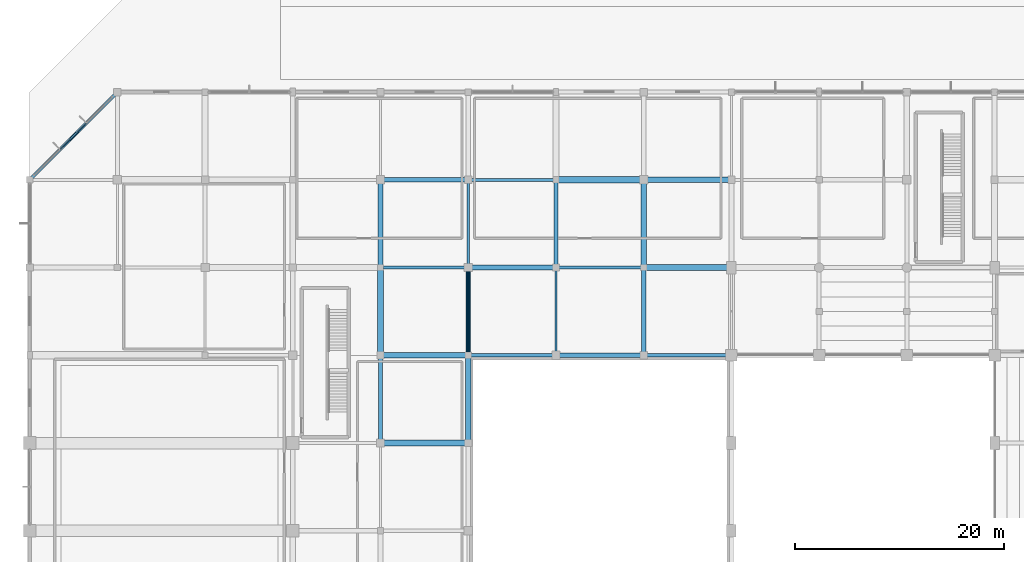
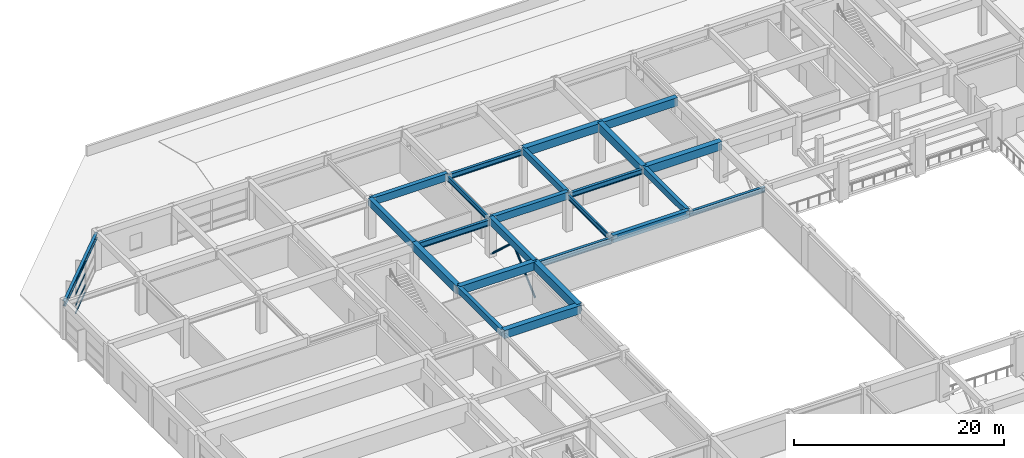
# One storey, part 21 of 60: 24 beams, 6 members, 1 element without a shape of its own.
"""IFC4 building model written with IfcOpenShell, lengths in metres."""

from ifc_helpers import new_model, si_unit, direction, frame, origin, origin_2d, place, context, subcontext, project, spatial, rectangle, hollow_circle, i_section, extrude, material, material_profile, profile_set, type_object, element, aggregate, save


model = new_model("IFC4")

# Units and contexts
model_context = context("Model", 3, precision=1e-05, world=origin(), true_north=direction((0.0, 1.0)))
body_context = subcontext(model_context, "Body", "Model", "MODEL_VIEW")
ifc_project = project(units=[si_unit("LENGTHUNIT", "METRE"), si_unit("AREAUNIT", "SQUARE_METRE"), si_unit("VOLUMEUNIT", "CUBIC_METRE"), si_unit("PLANEANGLEUNIT", "RADIAN"), si_unit("MASSUNIT", "GRAM", prefix="KILO")], contexts=[model_context])

# Site, building, storey
site_placement = place(None, origin())
site = spatial("IfcSite", under=ifc_project, at=site_placement, CompositionType="ELEMENT")
building_placement = place(site_placement, origin())
building = spatial("IfcBuilding", under=site, at=building_placement, Name="Xuanlan Plaza Opera House", CompositionType="ELEMENT")
storey_placement = place(building_placement, frame((0.0, 0.0, 9.89990234375)))
storey = spatial("IfcBuildingStorey", under=building, at=storey_placement, Name="L02", CompositionType="ELEMENT", Elevation=9.89990234375)

# Curtain wall, members
ifc_material_1 = material(Name="Anodised Aluminium 6063-T6 and Low-E Glass", Category="aluminium")
curtain_wall_type = type_object("IfcCurtainWallType", Name="ENV-CW-CW-03", PredefinedType="USERDEFINED", material=ifc_material_1)
curtain_wall_placement = place(storey_placement, origin())
curtain_wall = element("IfcCurtainWall", 1, at=curtain_wall_placement, inside=storey, type_object=curtain_wall_type, Name="Unitised Curtain Wall L02-047", ObjectType="UNITISED CURTAIN WALL", PredefinedType="USERDEFINED")
ifc_material_2 = material(Name="Anodised Aluminium 6063-T6", Category="aluminium")
ifc_material_profile_1 = material_profile(ifc_material_2, rectangle(XDim=0.074951171875, YDim=0.14990234375, at=origin_2d()), Name="ALU-T 75x150")
ifc_profile_set_1 = profile_set([ifc_material_profile_1], Name="Anodised Aluminium 6063-T6")
member_type_1 = type_object("IfcMemberType", Name="ENV-CWT-03", PredefinedType="USERDEFINED", material=ifc_profile_set_1)
member_1_placement = place(storey_placement, frame((5.41064453125, 97.810791015625, 0.03759765625), z_axis=(-0.707106781187, -0.707106781187, 0.0), x_axis=(0.707106781187, -0.707106781187, 0.0)))
member_1 = element("IfcMember", 2, at=member_1_placement, type_object=member_type_1, Name="CW-03 transom 2.1", ObjectType="TRANSOM", PredefinedType="USERDEFINED", context=body_context, shape_type="SweptSolid", body=[
    extrude(rectangle(XDim=0.074951171875, YDim=0.14990234375, at=origin_2d()), origin(), (0.0, 0.0, 1.0), 3.4951171875),
])
member_2_placement = place(storey_placement, frame((5.41064453125, 97.810791015625, 0.9501953125), z_axis=(-0.707106781187, -0.707106781187, 0.0), x_axis=(0.707106781187, -0.707106781187, 0.0)))
member_2 = element("IfcMember", 3, at=member_2_placement, type_object=member_type_1, Name="CW-03 transom 2.2", ObjectType="TRANSOM", PredefinedType="USERDEFINED", context=body_context, shape_type="SweptSolid", body=[
    extrude(rectangle(XDim=0.074951171875, YDim=0.14990234375, at=origin_2d()), origin(), (0.0, 0.0, 1.0), 3.4951171875),
])
member_3_placement = place(storey_placement, frame((5.41064453125, 97.810791015625, 2.25), z_axis=(-0.707106781187, -0.707106781187, 0.0), x_axis=(0.707106781187, -0.707106781187, 0.0)))
member_3 = element("IfcMember", 4, at=member_3_placement, type_object=member_type_1, Name="CW-03 transom 2.3", ObjectType="TRANSOM", PredefinedType="USERDEFINED", context=body_context, shape_type="SweptSolid", body=[
    extrude(rectangle(XDim=0.074951171875, YDim=0.14990234375, at=origin_2d()), origin(), (0.0, 0.0, 1.0), 3.4951171875),
])
member_4_placement = place(storey_placement, frame((5.41064453125, 97.810791015625, 3.642578125), z_axis=(-0.707106781187, -0.707106781187, 0.0), x_axis=(0.707106781187, -0.707106781187, 0.0)))
member_4 = element("IfcMember", 5, at=member_4_placement, type_object=member_type_1, Name="CW-03 transom 2.4", ObjectType="TRANSOM", PredefinedType="USERDEFINED", context=body_context, shape_type="SweptSolid", body=[
    extrude(rectangle(XDim=0.074951171875, YDim=0.14990234375, at=origin_2d()), origin(), (0.0, 0.0, 1.0), 3.4951171875),
])
aggregate(curtain_wall, [member_1, member_2, member_3, member_4])

# Beams
ifc_material_3 = material(Name="Concrete C50", Category="concrete")
ifc_material_profile_2 = material_profile(ifc_material_3, rectangle(XDim=0.60009765625, YDim=0.949951171875, at=origin_2d()), Name="RC-BM 600x950")
ifc_profile_set_2 = profile_set([ifc_material_profile_2], Name="Concrete C50")
beam_type_1 = type_object("IfcBeamType", Name="STR-BM-B-01", PredefinedType="BEAM", material=ifc_profile_set_2)
for number, where, z_axis, x_axis, name in (
    (6, (33.60009765625, 67.199951171875, 4.025146484375), (1.0, 0.0, 0.0), (0.0, 1.0, 0.0), "Grid Beam X L02 5-6/I"),
    (7, (58.800048828125, 84.0, 4.025146484375), (1.0, 0.0, 0.0), (0.0, 1.0, 0.0), "Grid Beam X L02 8-9/K"),
):
    element("IfcBeam", number, at=place(storey_placement, frame(where, z_axis=z_axis, x_axis=x_axis)), inside=storey, type_object=beam_type_1, Name=name, PredefinedType="BEAM", context=body_context, shape_type="SweptSolid", body=[
        extrude(rectangle(XDim=0.60009765625, YDim=0.949951171875, at=origin_2d()), origin(), (0.0, 0.0, 1.0), 8.39990234375),
    ])
beam_1_placement = place(storey_placement, frame((50.39990234375, 92.39990234375, 4.025146484375), z_axis=(1.0, 0.0, 0.0), x_axis=(0.0, 1.0, 0.0)))
element("IfcBeam", 8, at=beam_1_placement, inside=storey, type_object=beam_type_1, Name="Grid Beam X L02 7-8/L", PredefinedType="BEAM", context=body_context, shape_type="SweptSolid", body=[
    extrude(rectangle(XDim=0.60009765625, YDim=0.949951171875, at=origin_2d()), origin(), (0.0, 0.0, 1.0), 8.400146484375),
])
ifc_material_profile_3 = material_profile(ifc_material_3, rectangle(XDim=0.550048828125, YDim=0.949951171875, at=origin_2d()), Name="RC-BM 550x950")
ifc_profile_set_3 = profile_set([ifc_material_profile_3], Name="Concrete C50")
beam_type_2 = type_object("IfcBeamType", Name="STR-BM-B-02", PredefinedType="BEAM", material=ifc_profile_set_3)
for number, where, z_axis, x_axis, name in (
    (9, (33.60009765625, 75.60009765625, 4.025146484375), (1.0, 0.0, 0.0), (0.0, 1.0, 0.0), "Grid Beam X L02 5-6/J"),
    (10, (58.800048828125, 92.39990234375, 4.025146484375), (1.0, 0.0, 0.0), (0.0, 1.0, 0.0), "Grid Beam X L02 8-9/L"),
    (11, (33.60009765625, 75.60009765625, 4.025146484375), (0.0, 1.0, 0.0), (-1.0, 0.0, 0.0), "Grid Beam Y L02 5/J-K"),
):
    element("IfcBeam", number, at=place(storey_placement, frame(where, z_axis=z_axis, x_axis=x_axis)), inside=storey, type_object=beam_type_2, Name=name, PredefinedType="BEAM", context=body_context, shape_type="SweptSolid", body=[
        extrude(rectangle(XDim=0.550048828125, YDim=0.949951171875, at=origin_2d()), origin(), (0.0, 0.0, 1.0), 8.39990234375),
    ])
beam_2_placement = place(storey_placement, frame((42.0, 67.199951171875, 4.025146484375), z_axis=(0.0, 1.0, 0.0), x_axis=(-1.0, 0.0, 0.0)))
element("IfcBeam", 12, at=beam_2_placement, inside=storey, type_object=beam_type_2, Name="Grid Beam Y L02 6/I-J", PredefinedType="BEAM", context=body_context, shape_type="SweptSolid", body=[
    extrude(rectangle(XDim=0.550048828125, YDim=0.949951171875, at=origin_2d()), origin(), (0.0, 0.0, 1.0), 8.400146484375),
])
beam_3_placement = place(storey_placement, frame((58.800048828125, 84.0, 4.025146484375), z_axis=(0.0, 1.0, 0.0), x_axis=(-1.0, 0.0, 0.0)))
element("IfcBeam", 13, at=beam_3_placement, inside=storey, type_object=beam_type_2, Name="Grid Beam Y L02 8/K-L", PredefinedType="BEAM", context=body_context, shape_type="SweptSolid", body=[
    extrude(rectangle(XDim=0.550048828125, YDim=0.949951171875, at=origin_2d()), origin(), (0.0, 0.0, 1.0), 8.39990234375),
])
ifc_material_4 = material(Name="Concrete C40", Category="concrete")
ifc_material_profile_4 = material_profile(ifc_material_4, rectangle(XDim=0.449951171875, YDim=0.85009765625, at=origin_2d()), Name="RC-BM 450x850")
ifc_profile_set_4 = profile_set([ifc_material_profile_4], Name="Concrete C40")
beam_type_3 = type_object("IfcBeamType", Name="STR-BM-B-04", PredefinedType="BEAM", material=ifc_profile_set_4)
beam_4_placement = place(storey_placement, frame((50.39990234375, 75.60009765625, 4.0751953125), z_axis=(1.0, 0.0, 0.0), x_axis=(0.0, 1.0, 0.0)))
element("IfcBeam", 14, at=beam_4_placement, inside=storey, type_object=beam_type_3, Name="Grid Beam X L02 7-8/J", PredefinedType="BEAM", context=body_context, shape_type="SweptSolid", body=[
    extrude(rectangle(XDim=0.449951171875, YDim=0.85009765625, at=origin_2d()), origin(), (0.0, 0.0, 1.0), 8.400146484375),
])
for number, where, z_axis, x_axis, name in (
    (15, (42.0, 84.0, 4.0751953125), (1.0, 0.0, 0.0), (0.0, 1.0, 0.0), "Grid Beam X L02 6-7/K"),
    (16, (33.60009765625, 92.39990234375, 4.0751953125), (1.0, 0.0, 0.0), (0.0, 1.0, 0.0), "Grid Beam X L02 5-6/L"),
    (17, (33.60009765625, 84.0, 4.0751953125), (0.0, 1.0, 0.0), (-1.0, 0.0, 0.0), "Grid Beam Y L02 5/K-L"),
    (18, (42.0, 75.60009765625, 4.0751953125), (0.0, 1.0, 0.0), (-1.0, 0.0, 0.0), "Grid Beam Y L02 6/J-K"),
):
    element("IfcBeam", number, at=place(storey_placement, frame(where, z_axis=z_axis, x_axis=x_axis)), inside=storey, type_object=beam_type_3, Name=name, PredefinedType="BEAM", context=body_context, shape_type="SweptSolid", body=[
        extrude(rectangle(XDim=0.449951171875, YDim=0.85009765625, at=origin_2d()), origin(), (0.0, 0.0, 1.0), 8.39990234375),
    ])
ifc_material_profile_5 = material_profile(ifc_material_4, rectangle(XDim=0.39990234375, YDim=0.75, at=origin_2d()), Name="RC-BM 400x750")
ifc_profile_set_5 = profile_set([ifc_material_profile_5], Name="Concrete C40")
beam_type_4 = type_object("IfcBeamType", Name="STR-BM-B-06", PredefinedType="BEAM", material=ifc_profile_set_5)
beam_5_placement = place(storey_placement, frame((33.60009765625, 67.199951171875, 4.125), z_axis=(0.0, 1.0, 0.0), x_axis=(-1.0, 0.0, 0.0)))
element("IfcBeam", 19, at=beam_5_placement, inside=storey, type_object=beam_type_4, Name="Grid Beam Y L02 5/I-J", PredefinedType="BEAM", context=body_context, shape_type="SweptSolid", body=[
    extrude(rectangle(XDim=0.39990234375, YDim=0.75, at=origin_2d()), origin(), (0.0, 0.0, 1.0), 8.400146484375),
])
for number, where, z_axis, x_axis, name in (
    (20, (50.39990234375, 84.0, 4.125), (0.0, 1.0, 0.0), (-1.0, 0.0, 0.0), "Grid Beam Y L02 7/K-L"),
    (21, (58.800048828125, 75.60009765625, 4.125), (0.0, 1.0, 0.0), (-1.0, 0.0, 0.0), "Grid Beam Y L02 8/J-K"),
):
    element("IfcBeam", number, at=place(storey_placement, frame(where, z_axis=z_axis, x_axis=x_axis)), inside=storey, type_object=beam_type_4, Name=name, PredefinedType="BEAM", context=body_context, shape_type="SweptSolid", body=[
        extrude(rectangle(XDim=0.39990234375, YDim=0.75, at=origin_2d()), origin(), (0.0, 0.0, 1.0), 8.39990234375),
    ])
ifc_material_5 = material(Name="Steel Q355B", Category="steel")
ifc_material_profile_6 = material_profile(ifc_material_5, i_section(OverallWidth=0.300048828125, OverallDepth=0.699951171875, WebThickness=0.012939453125, FlangeThickness=0.02392578125, FilletRadius=0.02392578125, at=origin_2d()), Name="HN 700x300x13x24")
ifc_profile_set_6 = profile_set([ifc_material_profile_6], Name="Steel Q355B")
beam_type_5 = type_object("IfcBeamType", Name="STR-BM-SB-03", PredefinedType="BEAM", material=ifc_profile_set_6)
for number, where, z_axis, x_axis, name in (
    (22, (42.0, 75.60009765625, 3.885009765625), (1.0, 0.0, 0.0), (0.0, 1.0, 0.0), "Grid Beam X L02 6-7/J"),
    (23, (33.60009765625, 84.0, 3.885009765625), (1.0, 0.0, 0.0), (0.0, 1.0, 0.0), "Grid Beam X L02 5-6/K"),
):
    element("IfcBeam", number, at=place(storey_placement, frame(where, z_axis=z_axis, x_axis=x_axis)), inside=storey, type_object=beam_type_5, Name=name, PredefinedType="BEAM", context=body_context, shape_type="SweptSolid", body=[
        extrude(i_section(OverallWidth=0.300048828125, OverallDepth=0.699951171875, WebThickness=0.012939453125, FlangeThickness=0.02392578125, FilletRadius=0.02392578125, at=origin_2d()), origin(), (0.0, 0.0, 1.0), 8.39990234375),
    ])
ifc_material_profile_7 = material_profile(ifc_material_5, i_section(OverallWidth=0.199951171875, OverallDepth=0.60009765625, WebThickness=0.010986328125, FlangeThickness=0.01708984375, FilletRadius=0.02197265625, at=origin_2d()), Name="HN 600x200x11x17")
ifc_profile_set_7 = profile_set([ifc_material_profile_7], Name="Steel Q355B")
beam_type_6 = type_object("IfcBeamType", Name="STR-BM-SB-04", PredefinedType="BEAM", material=ifc_profile_set_7)
for number, where, z_axis, x_axis, name in (
    (24, (42.0, 84.0, 3.93505859375), (0.0, 1.0, 0.0), (-1.0, 0.0, 0.0), "Grid Beam Y L02 6/K-L"),
    (25, (50.39990234375, 75.60009765625, 3.93505859375), (0.0, 1.0, 0.0), (-1.0, 0.0, 0.0), "Grid Beam Y L02 7/J-K"),
):
    element("IfcBeam", number, at=place(storey_placement, frame(where, z_axis=z_axis, x_axis=x_axis)), inside=storey, type_object=beam_type_6, Name=name, PredefinedType="BEAM", context=body_context, shape_type="SweptSolid", body=[
        extrude(i_section(OverallWidth=0.199951171875, OverallDepth=0.60009765625, WebThickness=0.010986328125, FlangeThickness=0.01708984375, FilletRadius=0.02197265625, at=origin_2d()), origin(), (0.0, 0.0, 1.0), 8.39990234375),
    ])
ifc_material_profile_8 = material_profile(ifc_material_5, i_section(OverallWidth=0.300048828125, OverallDepth=0.587890625, WebThickness=0.011962890625, FlangeThickness=0.02001953125, FilletRadius=0.02392578125, at=origin_2d()), Name="HM 588x300x12x20")
ifc_profile_set_8 = profile_set([ifc_material_profile_8], Name="Steel Q355B")
beam_type_7 = type_object("IfcBeamType", Name="STR-BM-SB-06", PredefinedType="BEAM", material=ifc_profile_set_8)
beam_6_placement = place(storey_placement, frame((58.800048828125, 75.60009765625, 3.941162109375), z_axis=(1.0, 0.0, 0.0), x_axis=(0.0, 1.0, 0.0)))
element("IfcBeam", 26, at=beam_6_placement, inside=storey, type_object=beam_type_7, Name="Grid Beam X L02 8-9/J", PredefinedType="BEAM", context=body_context, shape_type="SweptSolid", body=[
    extrude(i_section(OverallWidth=0.300048828125, OverallDepth=0.587890625, WebThickness=0.011962890625, FlangeThickness=0.02001953125, FilletRadius=0.02392578125, at=origin_2d()), origin(), (0.0, 0.0, 1.0), 8.39990234375),
])
beam_7_placement = place(storey_placement, frame((50.39990234375, 84.0, 3.941162109375), z_axis=(1.0, 0.0, 0.0), x_axis=(0.0, 1.0, 0.0)))
element("IfcBeam", 27, at=beam_7_placement, inside=storey, type_object=beam_type_7, Name="Grid Beam X L02 7-8/K", PredefinedType="BEAM", context=body_context, shape_type="SweptSolid", body=[
    extrude(i_section(OverallWidth=0.300048828125, OverallDepth=0.587890625, WebThickness=0.011962890625, FlangeThickness=0.02001953125, FilletRadius=0.02392578125, at=origin_2d()), origin(), (0.0, 0.0, 1.0), 8.400146484375),
])
beam_8_placement = place(storey_placement, frame((42.0, 92.39990234375, 3.941162109375), z_axis=(1.0, 0.0, 0.0), x_axis=(0.0, 1.0, 0.0)))
element("IfcBeam", 28, at=beam_8_placement, inside=storey, type_object=beam_type_7, Name="Grid Beam X L02 6-7/L", PredefinedType="BEAM", context=body_context, shape_type="SweptSolid", body=[
    extrude(i_section(OverallWidth=0.300048828125, OverallDepth=0.587890625, WebThickness=0.011962890625, FlangeThickness=0.02001953125, FilletRadius=0.02392578125, at=origin_2d()), origin(), (0.0, 0.0, 1.0), 8.39990234375),
])
ifc_material_profile_9 = material_profile(ifc_material_5, i_section(OverallWidth=0.300048828125, OverallDepth=0.587890625, WebThickness=0.011962890625, FlangeThickness=0.02001953125, FilletRadius=0.02392578125, at=origin_2d()), Name="HM 588x300x12x20")
ifc_profile_set_9 = profile_set([ifc_material_profile_9], Name="Steel Q355B")
beam_type_8 = type_object("IfcBeamType", Name="STR-BM-SP-03", PredefinedType="SPANDREL", material=ifc_profile_set_9)
beam_9_placement = place(storey_placement, frame((0.0, 92.39990234375, 3.941162109375), z_axis=(0.707096505339, 0.707117056885, 0.0), x_axis=(-0.707117056885, 0.707096505339, 0.0)))
element("IfcBeam", 29, at=beam_9_placement, inside=storey, type_object=beam_type_8, Name="Faceted Edge Spandrel L02 CH07", PredefinedType="SPANDREL", context=body_context, shape_type="SweptSolid", body=[
    extrude(i_section(OverallWidth=0.300048828125, OverallDepth=0.587890625, WebThickness=0.011962890625, FlangeThickness=0.02001953125, FilletRadius=0.02392578125, at=origin_2d()), origin(), (0.0, 0.0, 1.0), 11.87939453125),
])

# Members
ifc_material_profile_10 = material_profile(ifc_material_5, hollow_circle(Radius=0.109619140625, WallThickness=0.010009765625, at=origin_2d()), Name="CHS 219.1x10")
ifc_profile_set_10 = profile_set([ifc_material_profile_10], Name="Steel Q355B")
member_type_2 = type_object("IfcMemberType", Name="STR-MEM-BR-05", PredefinedType="BRACE", material=ifc_profile_set_10)
for number, where, z_axis, x_axis, name in (
    (30, (42.0, 75.60009765625, 0.10009765625), (0.0, 0.737141689437, 0.675738210918), (-1.0, 0.0, 0.0), "Stage Lateral Chevron Brace L02-1A"),
    (31, (42.0, 84.0, 0.10009765625), (0.0, -0.737141689437, 0.675738210918), (1.0, 0.0, 0.0), "Stage Lateral Chevron Brace L02-1B"),
):
    element("IfcMember", number, at=place(storey_placement, frame(where, z_axis=z_axis, x_axis=x_axis)), inside=storey, type_object=member_type_2, Name=name, PredefinedType="BRACE", context=body_context, shape_type="SweptSolid", body=[
        extrude(hollow_circle(Radius=0.109619140625, WallThickness=0.010009765625, at=origin_2d()), origin(), (0.0, 0.0, 1.0), 5.697509765625),
    ])

save(model, "model.ifc")
